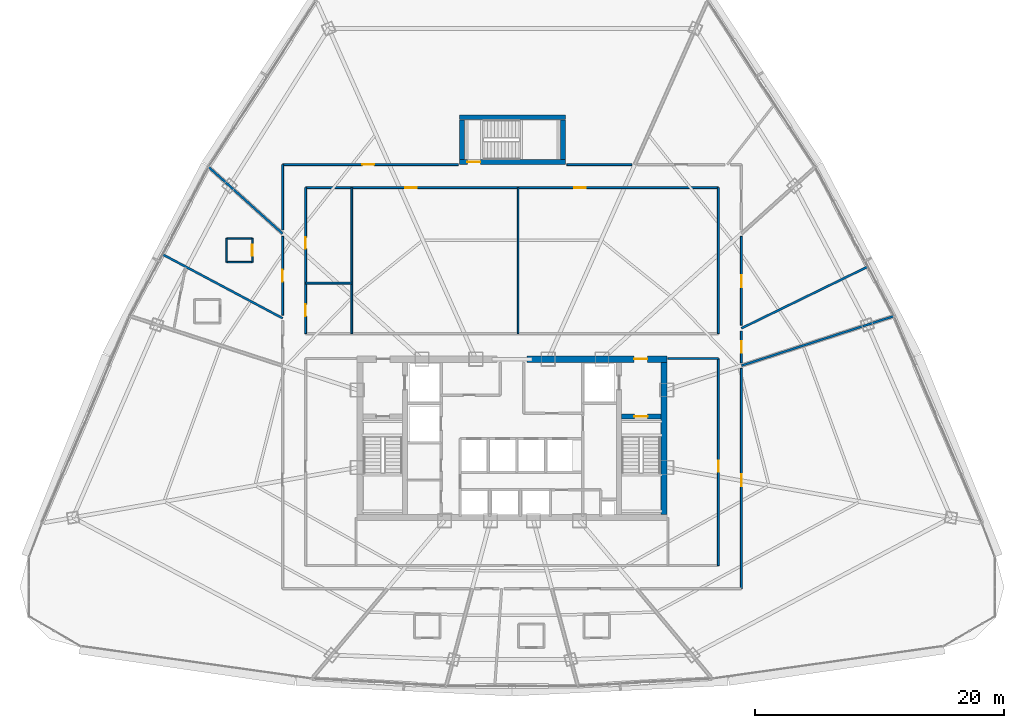
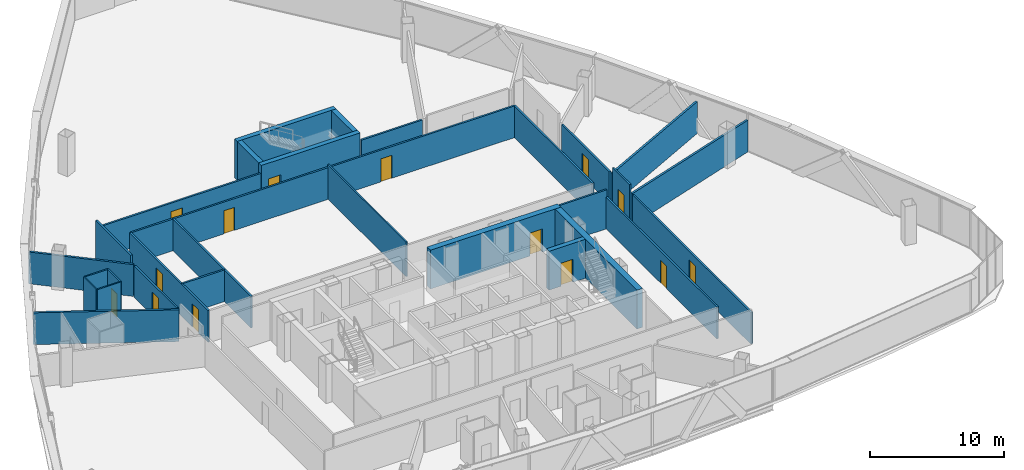
# One storey, part 34 of 40: 30 walls, 14 doors, 14 openings.
"""IFC4 building model written with IfcOpenShell, lengths in metres."""

from ifc_helpers import new_model, si_unit, direction, frame, frame_2d, origin, origin_with_axes, place, context, subcontext, project, spatial, rectangle, extrude, source, transform, mapped, material, layer, layer_set, type_object, element, fill, save


model = new_model("IFC4")

# Units and contexts
model_context = context("Model", 3, precision=1e-05, world=origin(), true_north=direction((0.0, 1.0)))
body_context = subcontext(model_context, "Body", "Model", "MODEL_VIEW")
ifc_project = project(units=[si_unit("LENGTHUNIT", "METRE"), si_unit("AREAUNIT", "SQUARE_METRE"), si_unit("VOLUMEUNIT", "CUBIC_METRE"), si_unit("PLANEANGLEUNIT", "RADIAN"), si_unit("MASSUNIT", "GRAM", prefix="KILO"), si_unit("THERMODYNAMICTEMPERATUREUNIT", "KELVIN"), si_unit("POWERUNIT", "WATT")], contexts=[model_context])

# Site, building, storey
site_placement = place(None, origin())
site = spatial("IfcSite", under=ifc_project, at=site_placement, CompositionType="ELEMENT")
building_placement = place(site_placement, origin())
building = spatial("IfcBuilding", under=site, at=building_placement, Name="Yunzhuo Pagoda Commons", CompositionType="ELEMENT")
storey_placement = place(building_placement, frame((0.0, 0.0, 180.9599609375)))
storey = spatial("IfcBuildingStorey", under=building, at=storey_placement, Name="L45", CompositionType="ELEMENT", Elevation=180.9599609375)

# Wall, opening, door
ifc_material_1 = material(Name="Concrete C50", Category="concrete")
ifc_layer_1 = layer(ifc_material_1, 0.5)
ifc_layer_set_1 = layer_set([ifc_layer_1], Name="Concrete C50")
wall_type_1 = type_object("IfcWallType", Name="W-C03 Upper Core Shear Wall 500", PredefinedType="SHEAR", material=ifc_layer_set_1)
wall_1_placement = place(storey_placement, frame((49.199951171875, 40.199951171875, 0.0), z_axis=(0.0, 0.0, 1.0), x_axis=(1.0, 0.0, 0.0)))
wall_1 = element("IfcWall", 1, at=wall_1_placement, inside=storey, type_object=wall_type_1, Name="L45 core shear wall NE", PredefinedType="SHEAR", context=body_context, shape_type="SweptSolid", body=[
    extrude(rectangle(XDim=11.25, YDim=0.5, at=frame_2d((5.625, 0.0))), origin(), (0.0, 0.0, 1.0), 3.5400390625),
])
opening_1_placement = place(wall_1_placement, frame((8.60009765625, 0.0, 0.0)))
opening_1 = element("IfcOpeningElement", 2, at=opening_1_placement, cuts=wall_1, Name="Opening D-02", PredefinedType="OPENING", context=body_context, shape_type="SweptSolid", body=[
    extrude(rectangle(XDim=1.050048828125, YDim=2.10009765625, at=frame_2d((0.52490234375, 1.050048828125))), frame((0.0, 0.260009765625, 0.0), z_axis=(0.0, -1.0, 0.0), x_axis=(1.0, 0.0, 0.0)), (0.0, 0.0, 1.0), 0.52001953125),
])
ifc_material_2 = material(Name="Galvanized fire-resisting metal leaf")
door_type_1 = type_object("IfcDoorType", Name="D-02 Firefighting Lobby & Refuge Fire Door 1050x2100", OperationType="NOTDEFINED", PredefinedType="DOOR", material=ifc_material_2)
shared_shape_1 = source(origin(), body_context, "Body", "SweptSolid", [
    extrude(rectangle(XDim=1.050048828125, YDim=2.10009765625, at=frame_2d((0.52490234375, 1.050048828125))), frame((0.0, 0.02490234375, 0.0), z_axis=(0.0, -1.0, 0.0), x_axis=(1.0, 0.0, 0.0)), (0.0, 0.0, 1.0), 0.050048828125),
])
door_1_placement = place(opening_1_placement, frame((1.050048828125, 0.0, 0.0), z_axis=(0.0, 0.0, 1.0), x_axis=(-1.0, 0.0, 0.0)))
door_1 = element("IfcDoor", 3, at=door_1_placement, inside=storey, type_object=door_type_1, Name="L45 Firefighting Lobby 2 fire door", OperationType="SINGLE_SWING_RIGHT", OverallHeight=2.10009765625, OverallWidth=1.050048828125, PredefinedType="DOOR", context=body_context, shape_type="MappedRepresentation", body=[
    mapped(shared_shape_1, transform((0.0, 0.0, 0.0), scale=1.0)),
])
fill(opening_1, door_1)

# Wall
wall_2_placement = place(storey_placement, frame((60.199951171875, 27.75, 0.0), z_axis=(0.0, 0.0, 1.0), x_axis=(0.0, 1.0, 0.0)))
element("IfcWall", 4, at=wall_2_placement, inside=storey, type_object=wall_type_1, Name="L45 core shear wall E", PredefinedType="SHEAR", context=body_context, shape_type="SweptSolid", body=[
    extrude(rectangle(XDim=12.199951171875, YDim=0.5, at=frame_2d((6.10009765625, 0.0))), origin(), (0.0, 0.0, 1.0), 3.5400390625),
])

# Wall, openings, doors
ifc_material_3 = material(Name="Gypsum plasterboard on acoustic stud")
ifc_layer_2 = layer(ifc_material_3, 0.155029296875)
ifc_layer_set_2 = layer_set([ifc_layer_2], Name="Gypsum plasterboard on acoustic stud")
wall_type_2 = type_object("IfcWallType", Name="W-COR2 Mid-Zone Rated Corridor Wall 155", PredefinedType="PARTITIONING", material=ifc_layer_set_2)
wall_3_placement = place(storey_placement, frame((31.449951171875, 53.949951171875, 0.0), z_axis=(0.0, 0.0, 1.0), x_axis=(1.0, 0.0, 0.0)))
wall_3 = element("IfcWall", 5, at=wall_3_placement, inside=storey, type_object=wall_type_2, Name="L45 interior wall IW-L45-MCNN", PredefinedType="PARTITIONING", context=body_context, shape_type="SweptSolid", body=[
    extrude(rectangle(XDim=33.10009765625, YDim=0.155029296875, at=frame_2d((16.550048828125, 0.0))), origin(), (0.0, 0.0, 1.0), 2.89013671875),
])
opening_2_placement = place(wall_3_placement, frame((8.0, 0.0, 0.0)))
opening_2 = element("IfcOpeningElement", 6, at=opening_2_placement, cuts=wall_3, Name="Opening D-04", PredefinedType="OPENING", context=body_context, shape_type="SweptSolid", body=[
    extrude(rectangle(XDim=0.919921875, YDim=2.10009765625, at=frame_2d((0.4599609375, 1.050048828125))), frame((0.0, 0.08740234375, 0.0), z_axis=(0.0, -1.0, 0.0), x_axis=(1.0, 0.0, 0.0)), (0.0, 0.0, 1.0), 0.175048828125),
])
opening_3_placement = place(wall_3_placement, frame((21.550048828125, 0.0, 0.0)))
opening_3 = element("IfcOpeningElement", 7, at=opening_3_placement, cuts=wall_3, Name="Opening D-04", PredefinedType="OPENING", context=body_context, shape_type="SweptSolid", body=[
    extrude(rectangle(XDim=0.919921875, YDim=2.10009765625, at=frame_2d((0.4599609375, 1.050048828125))), frame((0.0, 0.08740234375, 0.0), z_axis=(0.0, -1.0, 0.0), x_axis=(1.0, 0.0, 0.0)), (0.0, 0.0, 1.0), 0.175048828125),
])
ifc_material_4 = material(Name="Powder-coated aluminium and timber acoustic leaf", Category="wood")
door_type_2 = type_object("IfcDoorType", Name="D-04 Bedroom & Study Interior Door 920x2100", OperationType="NOTDEFINED", PredefinedType="DOOR", material=ifc_material_4)
shared_shape_2 = source(origin(), body_context, "Body", "SweptSolid", [
    extrude(rectangle(XDim=0.919921875, YDim=2.10009765625, at=frame_2d((0.4599609375, 1.050048828125))), frame((0.0, 0.02490234375, 0.0), z_axis=(0.0, -1.0, 0.0), x_axis=(1.0, 0.0, 0.0)), (0.0, 0.0, 1.0), 0.050048828125),
])
door_2_placement = place(opening_2_placement, origin_with_axes())
door_2 = element("IfcDoor", 8, at=door_2_placement, inside=storey, type_object=door_type_2, Name="L45 reading commons door", OperationType="SINGLE_SWING_LEFT", OverallHeight=2.10009765625, OverallWidth=0.919921875, PredefinedType="DOOR", context=body_context, shape_type="MappedRepresentation", body=[
    mapped(shared_shape_2, transform((0.0, 0.0, 0.0), scale=1.0)),
])
fill(opening_2, door_2)
door_3_placement = place(opening_3_placement, origin_with_axes())
door_3 = element("IfcDoor", 9, at=door_3_placement, inside=storey, type_object=door_type_2, Name="L45 seminar commons door", OperationType="SINGLE_SWING_RIGHT", OverallHeight=2.10009765625, OverallWidth=0.919921875, PredefinedType="DOOR", context=body_context, shape_type="MappedRepresentation", body=[
    mapped(shared_shape_2, transform((0.0, 0.0, 0.0), scale=1.0)),
])
fill(opening_3, door_3)

wall_4_placement = place(storey_placement, frame((31.449951171875, 42.25, 0.0), z_axis=(0.0, 0.0, 1.0), x_axis=(0.0, 1.0, 0.0)))
wall_4 = element("IfcWall", 10, at=wall_4_placement, inside=storey, type_object=wall_type_2, Name="L45 interior wall IW-L45-MCNW", PredefinedType="PARTITIONING", context=body_context, shape_type="SweptSolid", body=[
    extrude(rectangle(XDim=11.699951171875, YDim=0.155029296875, at=frame_2d((5.85009765625, 0.0))), origin(), (0.0, 0.0, 1.0), 2.89013671875),
])
opening_4_placement = place(wall_4_placement, frame((1.39990234375, 0.0, 0.0)))
opening_4 = element("IfcOpeningElement", 11, at=opening_4_placement, cuts=wall_4, Name="Opening D-11", PredefinedType="OPENING", context=body_context, shape_type="SweptSolid", body=[
    extrude(rectangle(XDim=0.93994140625, YDim=2.10009765625, at=frame_2d((0.469970703125, 1.050048828125))), frame((0.0, 0.08740234375, 0.0), z_axis=(0.0, -1.0, 0.0), x_axis=(1.0, 0.0, 0.0)), (0.0, 0.0, 1.0), 0.175048828125),
])
opening_5_placement = place(wall_4_placement, frame((6.800048828125, 0.0, 0.0)))
opening_5 = element("IfcOpeningElement", 12, at=opening_5_placement, cuts=wall_4, Name="Opening D-04", PredefinedType="OPENING", context=body_context, shape_type="SweptSolid", body=[
    extrude(rectangle(XDim=0.919921875, YDim=2.10009765625, at=frame_2d((0.4599609375, 1.050048828125))), frame((0.0, 0.08740234375, 0.0), z_axis=(0.0, -1.0, 0.0), x_axis=(1.0, 0.0, 0.0)), (0.0, 0.0, 1.0), 0.175048828125),
])
door_type_3 = type_object("IfcDoorType", Name="D-11 Accessible Washroom Fire Door 940x2100", OperationType="NOTDEFINED", PredefinedType="DOOR", material=ifc_material_2)
shared_shape_3 = source(origin(), body_context, "Body", "SweptSolid", [
    extrude(rectangle(XDim=0.93994140625, YDim=2.10009765625, at=frame_2d((0.469970703125, 1.050048828125))), frame((0.0, 0.02490234375, 0.0), z_axis=(0.0, -1.0, 0.0), x_axis=(1.0, 0.0, 0.0)), (0.0, 0.0, 1.0), 0.050048828125),
])
door_4_placement = place(opening_4_placement, origin_with_axes())
door_4 = element("IfcDoor", 13, at=door_4_placement, inside=storey, type_object=door_type_3, Name="L45 accessible WC door", OperationType="SINGLE_SWING_LEFT", OverallHeight=2.10009765625, OverallWidth=0.93994140625, PredefinedType="DOOR", context=body_context, shape_type="MappedRepresentation", body=[
    mapped(shared_shape_3, transform((0.0, 0.0, 0.0), scale=1.0)),
])
fill(opening_4, door_4)
door_5_placement = place(opening_5_placement, origin_with_axes())
door_5 = element("IfcDoor", 14, at=door_5_placement, inside=storey, type_object=door_type_2, Name="L45 laundry door", OperationType="SINGLE_SWING_RIGHT", OverallHeight=2.10009765625, OverallWidth=0.919921875, PredefinedType="DOOR", context=body_context, shape_type="MappedRepresentation", body=[
    mapped(shared_shape_2, transform((0.0, 0.0, 0.0), scale=1.0)),
])
fill(opening_5, door_5)

# Walls
for number, where, z_axis, x_axis, name in (
    (15, (64.550048828125, 42.25, 0.0), (0.0, 0.0, 1.0), (0.0, 1.0, 0.0), "L45 interior wall IW-L45-MCNE"),
    (16, (35.14990234375, 42.25, 0.0), (0.0, 0.0, 1.0), (0.0, 1.0, 0.0), "L45 interior wall IW-L45-MCWCE"),
):
    element("IfcWall", number, at=place(storey_placement, frame(where, z_axis=z_axis, x_axis=x_axis)), inside=storey, type_object=wall_type_2, Name=name, PredefinedType="PARTITIONING", context=body_context, shape_type="SweptSolid", body=[
        extrude(rectangle(XDim=11.699951171875, YDim=0.155029296875, at=frame_2d((5.85009765625, 0.0))), origin(), (0.0, 0.0, 1.0), 2.89013671875),
    ])
wall_5_placement = place(storey_placement, frame((31.449951171875, 46.300048828125, 0.0), z_axis=(0.0, 0.0, 1.0), x_axis=(1.0, 0.0, 0.0)))
element("IfcWall", 17, at=wall_5_placement, inside=storey, type_object=wall_type_2, Name="L45 interior wall IW-L45-MCWCN", PredefinedType="PARTITIONING", context=body_context, shape_type="SweptSolid", body=[
    extrude(rectangle(XDim=3.699951171875, YDim=0.155029296875, at=frame_2d((1.85009765625, 0.0))), origin(), (0.0, 0.0, 1.0), 2.89013671875),
])

# Wall, opening, door
wall_6_placement = place(storey_placement, frame((64.550048828125, 23.64990234375, 0.0), z_axis=(0.0, 0.0, 1.0), x_axis=(0.0, 1.0, 0.0)))
wall_6 = element("IfcWall", 18, at=wall_6_placement, inside=storey, type_object=wall_type_2, Name="L45 interior wall IW-L45-SFLE", PredefinedType="PARTITIONING", context=body_context, shape_type="SweptSolid", body=[
    extrude(rectangle(XDim=16.60009765625, YDim=0.155029296875, at=frame_2d((8.300048828125, 0.0))), origin(), (0.0, 0.0, 1.0), 2.89013671875),
])
opening_6_placement = place(wall_6_placement, frame((7.5, 0.0, 0.0)))
opening_6 = element("IfcOpeningElement", 19, at=opening_6_placement, cuts=wall_6, Name="Opening D-12", PredefinedType="OPENING", context=body_context, shape_type="SweptSolid", body=[
    extrude(rectangle(XDim=0.89990234375, YDim=2.080078125, at=frame_2d((0.449951171875, 1.0400390625))), frame((0.0, 0.08740234375, 0.0), z_axis=(0.0, -1.0, 0.0), x_axis=(1.0, 0.0, 0.0)), (0.0, 0.0, 1.0), 0.175048828125),
])
door_type_4 = type_object("IfcDoorType", Name="D-12 Quiet Study Interior Door 900x2080", OperationType="NOTDEFINED", PredefinedType="DOOR", material=ifc_material_4)
shared_shape_4 = source(origin(), body_context, "Body", "SweptSolid", [
    extrude(rectangle(XDim=0.89990234375, YDim=2.080078125, at=frame_2d((0.449951171875, 1.0400390625))), frame((0.0, 0.02490234375, 0.0), z_axis=(0.0, -1.0, 0.0), x_axis=(1.0, 0.0, 0.0)), (0.0, 0.0, 1.0), 0.050048828125),
])
door_6_placement = place(opening_6_placement, frame((0.89990234375, 0.0, 0.0), z_axis=(0.0, 0.0, 1.0), x_axis=(-1.0, 0.0, 0.0)))
door_6 = element("IfcDoor", 20, at=door_6_placement, inside=storey, type_object=door_type_4, Name="L45 east study workroom door", OperationType="SINGLE_SWING_RIGHT", OverallHeight=2.080078125, OverallWidth=0.89990234375, PredefinedType="DOOR", context=body_context, shape_type="MappedRepresentation", body=[
    mapped(shared_shape_4, transform((0.0, 0.0, 0.0), scale=1.0)),
])
fill(opening_6, door_6)

# Wall
wall_7_placement = place(storey_placement, frame((60.5, 40.25, 0.0), z_axis=(0.0, 0.0, 1.0), x_axis=(1.0, 0.0, 0.0)))
element("IfcWall", 21, at=wall_7_placement, inside=storey, type_object=wall_type_2, Name="L45 interior wall IW-L45-SFLNE", PredefinedType="PARTITIONING", context=body_context, shape_type="SweptSolid", body=[
    extrude(rectangle(XDim=4.050048828125, YDim=0.155029296875, at=frame_2d((2.02490234375, 0.0))), origin(), (0.0, 0.0, 1.0), 3.5400390625),
])

# Wall, opening, door
wall_8_placement = place(storey_placement, frame((29.60009765625, 43.732666015625, 0.0), z_axis=(0.0, 0.0, 1.0), x_axis=(0.0, 1.0, 0.0)))
wall_8 = element("IfcWall", 22, at=wall_8_placement, inside=storey, type_object=wall_type_2, Name="L45 interior wall IW-L45-CWL03", PredefinedType="PARTITIONING", context=body_context, shape_type="SweptSolid", body=[
    extrude(rectangle(XDim=6.31494140625, YDim=0.155029296875, at=frame_2d((3.157470703125, 0.0))), origin(), (0.0, 0.0, 1.0), 2.89013671875),
])
opening_7_placement = place(wall_8_placement, frame((2.667724609375, 0.0, 0.0)))
opening_7 = element("IfcOpeningElement", 23, at=opening_7_placement, cuts=wall_8, Name="Opening D-07", PredefinedType="OPENING", context=body_context, shape_type="SweptSolid", body=[
    extrude(rectangle(XDim=0.9599609375, YDim=2.1201171875, at=frame_2d((0.47998046875, 1.06005859375))), frame((0.0, 0.08740234375, 0.0), z_axis=(0.0, -1.0, 0.0), x_axis=(1.0, 0.0, 0.0)), (0.0, 0.0, 1.0), 0.175048828125),
])
door_type_5 = type_object("IfcDoorType", Name="D-07 Mid-Zone Suite Entrance Fire Door 960x2120", OperationType="NOTDEFINED", PredefinedType="DOOR", material=ifc_material_2)
shared_shape_5 = source(origin(), body_context, "Body", "SweptSolid", [
    extrude(rectangle(XDim=0.9599609375, YDim=2.1201171875, at=frame_2d((0.47998046875, 1.06005859375))), frame((0.0, 0.02490234375, 0.0), z_axis=(0.0, -1.0, 0.0), x_axis=(1.0, 0.0, 0.0)), (0.0, 0.0, 1.0), 0.050048828125),
])
door_7_placement = place(opening_7_placement, origin_with_axes())
door_7 = element("IfcDoor", 24, at=door_7_placement, inside=storey, type_object=door_type_5, Name="L45 unit 06 entrance door", OperationType="SINGLE_SWING_RIGHT", OverallHeight=2.1201171875, OverallWidth=0.9599609375, PredefinedType="DOOR", context=body_context, shape_type="MappedRepresentation", body=[
    mapped(shared_shape_5, transform((0.0, 0.0, 0.0), scale=1.0)),
])
fill(opening_7, door_7)

# Wall
wall_9_placement = place(storey_placement, frame((29.60009765625, 50.5634765625, 0.0), z_axis=(0.0, 0.0, 1.0), x_axis=(0.0, 1.0, 0.0)))
element("IfcWall", 25, at=wall_9_placement, inside=storey, type_object=wall_type_2, Name="L45 interior wall IW-L45-CWL04", PredefinedType="PARTITIONING", context=body_context, shape_type="SweptSolid", body=[
    extrude(rectangle(XDim=5.236572265625, YDim=0.155029296875, at=frame_2d((2.6181640625, 0.0))), origin(), (0.0, 0.0, 1.0), 3.5400390625),
])

# Wall, opening, door
wall_10_placement = place(storey_placement, frame((29.60009765625, 55.800048828125, 0.0), z_axis=(0.0, 0.0, 1.0), x_axis=(1.0, 0.0, 0.0)))
wall_10 = element("IfcWall", 26, at=wall_10_placement, inside=storey, type_object=wall_type_2, Name="L45 interior wall IW-L45-CWL05", PredefinedType="PARTITIONING", context=body_context, shape_type="SweptSolid", body=[
    extrude(rectangle(XDim=14.10888671875, YDim=0.155029296875, at=frame_2d((7.054443359375, 0.0))), origin(), (0.0, 0.0, 1.0), 2.89013671875),
])
opening_8_placement = place(wall_10_placement, frame((6.385009765625, 0.0, 0.0)))
opening_8 = element("IfcOpeningElement", 27, at=opening_8_placement, cuts=wall_10, Name="Opening D-07", PredefinedType="OPENING", context=body_context, shape_type="SweptSolid", body=[
    extrude(rectangle(XDim=0.9599609375, YDim=2.1201171875, at=frame_2d((0.47998046875, 1.06005859375))), frame((0.0, 0.08740234375, 0.0), z_axis=(0.0, -1.0, 0.0), x_axis=(1.0, 0.0, 0.0)), (0.0, 0.0, 1.0), 0.175048828125),
])
door_8_placement = place(opening_8_placement, origin_with_axes())
door_8 = element("IfcDoor", 28, at=door_8_placement, inside=storey, type_object=door_type_5, Name="L45 Shared Resident Kitchen and Pantry door", OperationType="SINGLE_SWING_LEFT", OverallHeight=2.1201171875, OverallWidth=0.9599609375, PredefinedType="DOOR", context=body_context, shape_type="MappedRepresentation", body=[
    mapped(shared_shape_5, transform((0.0, 0.0, 0.0), scale=1.0)),
])
fill(opening_8, door_8)

# Wall
wall_11_placement = place(storey_placement, frame((52.39111328125, 55.800048828125, 0.0), z_axis=(0.0, 0.0, 1.0), x_axis=(1.0, 0.0, 0.0)))
element("IfcWall", 29, at=wall_11_placement, inside=storey, type_object=wall_type_2, Name="L45 interior wall IW-L45-CWL06", PredefinedType="PARTITIONING", context=body_context, shape_type="SweptSolid", body=[
    extrude(rectangle(XDim=5.228759765625, YDim=0.155029296875, at=frame_2d((2.6142578125, 0.0))), origin(), (0.0, 0.0, 1.0), 2.89013671875),
])

# Wall, opening, door
wall_12_placement = place(storey_placement, frame((66.39990234375, 50.047607421875, 0.0), z_axis=(0.0, 0.0, 1.0), x_axis=(0.0, -1.0, 0.0)))
wall_12 = element("IfcWall", 30, at=wall_12_placement, inside=storey, type_object=wall_type_2, Name="L45 interior wall IW-L45-CWL10", PredefinedType="PARTITIONING", context=body_context, shape_type="SweptSolid", body=[
    extrude(rectangle(XDim=7.12841796875, YDim=0.155029296875, at=frame_2d((3.564208984375, 0.0))), origin(), (0.0, 0.0, 1.0), 2.89013671875),
])
opening_9_placement = place(wall_12_placement, frame((3.101806640625, 0.0, 0.0)))
opening_9 = element("IfcOpeningElement", 31, at=opening_9_placement, cuts=wall_12, Name="Opening D-07", PredefinedType="OPENING", context=body_context, shape_type="SweptSolid", body=[
    extrude(rectangle(XDim=0.9599609375, YDim=2.1201171875, at=frame_2d((0.47998046875, 1.06005859375))), frame((0.0, 0.08740234375, 0.0), z_axis=(0.0, -1.0, 0.0), x_axis=(1.0, 0.0, 0.0)), (0.0, 0.0, 1.0), 0.175048828125),
])
door_9_placement = place(opening_9_placement, origin_with_axes())
door_9 = element("IfcDoor", 32, at=door_9_placement, inside=storey, type_object=door_type_5, Name="L45 unit 02 entrance door", OperationType="SINGLE_SWING_RIGHT", OverallHeight=2.1201171875, OverallWidth=0.9599609375, PredefinedType="DOOR", context=body_context, shape_type="MappedRepresentation", body=[
    mapped(shared_shape_5, transform((0.0, 0.0, 0.0), scale=1.0)),
])
fill(opening_9, door_9)

wall_13_placement = place(storey_placement, frame((66.39990234375, 42.45458984375, 0.0), z_axis=(0.0, 0.0, 1.0), x_axis=(0.0, -1.0, 0.0)))
wall_13 = element("IfcWall", 33, at=wall_13_placement, inside=storey, type_object=wall_type_2, Name="L45 interior wall IW-L45-CWL11", PredefinedType="PARTITIONING", context=body_context, shape_type="SweptSolid", body=[
    extrude(rectangle(XDim=2.544677734375, YDim=0.155029296875, at=frame_2d((1.2724609375, 0.0))), origin(), (0.0, 0.0, 1.0), 3.5400390625),
])
opening_10_placement = place(wall_13_placement, frame((0.818115234375, 0.0, 0.0)))
opening_10 = element("IfcOpeningElement", 34, at=opening_10_placement, cuts=wall_13, Name="Opening D-04", PredefinedType="OPENING", context=body_context, shape_type="SweptSolid", body=[
    extrude(rectangle(XDim=0.919921875, YDim=2.10009765625, at=frame_2d((0.4599609375, 1.050048828125))), frame((0.0, 0.08740234375, 0.0), z_axis=(0.0, -1.0, 0.0), x_axis=(1.0, 0.0, 0.0)), (0.0, 0.0, 1.0), 0.175048828125),
])
door_10_placement = place(opening_10_placement, origin_with_axes())
door_10 = element("IfcDoor", 35, at=door_10_placement, inside=storey, type_object=door_type_2, Name="L45 seminar room 01 door", OperationType="SINGLE_SWING_LEFT", OverallHeight=2.10009765625, OverallWidth=0.919921875, PredefinedType="DOOR", context=body_context, shape_type="MappedRepresentation", body=[
    mapped(shared_shape_2, transform((0.0, 0.0, 0.0), scale=1.0)),
])
fill(opening_10, door_10)

wall_14_placement = place(storey_placement, frame((66.39990234375, 39.458740234375, 0.0), z_axis=(0.0, 0.0, 1.0), x_axis=(0.0, -1.0, 0.0)))
wall_14 = element("IfcWall", 36, at=wall_14_placement, inside=storey, type_object=wall_type_2, Name="L45 interior wall IW-L45-CWL12", PredefinedType="PARTITIONING", context=body_context, shape_type="SweptSolid", body=[
    extrude(rectangle(XDim=17.65869140625, YDim=0.155029296875, at=frame_2d((8.829345703125, 0.0))), origin(), (0.0, 0.0, 1.0), 2.89013671875),
])
opening_11_placement = place(wall_14_placement, frame((8.474365234375, 0.0, 0.0)))
opening_11 = element("IfcOpeningElement", 37, at=opening_11_placement, cuts=wall_14, Name="Opening D-07", PredefinedType="OPENING", context=body_context, shape_type="SweptSolid", body=[
    extrude(rectangle(XDim=0.9599609375, YDim=2.1201171875, at=frame_2d((0.47998046875, 1.06005859375))), frame((0.0, 0.08740234375, 0.0), z_axis=(0.0, -1.0, 0.0), x_axis=(1.0, 0.0, 0.0)), (0.0, 0.0, 1.0), 0.175048828125),
])
door_11_placement = place(opening_11_placement, origin_with_axes())
door_11 = element("IfcDoor", 38, at=door_11_placement, inside=storey, type_object=door_type_5, Name="L45 Academic Reading Commons 2 door", OperationType="SINGLE_SWING_LEFT", OverallHeight=2.1201171875, OverallWidth=0.9599609375, PredefinedType="DOOR", context=body_context, shape_type="MappedRepresentation", body=[
    mapped(shared_shape_5, transform((0.0, 0.0, 0.0), scale=1.0)),
])
fill(opening_11, door_11)

# Walls
ifc_layer_3 = layer(ifc_material_3, 0.1201171875)
ifc_layer_set_3 = layer_set([ifc_layer_3], Name="Gypsum plasterboard on acoustic stud")
wall_type_3 = type_object("IfcWallType", Name="W-PRT1 Suite & Bathroom Partition 120", PredefinedType="PARTITIONING", material=ifc_layer_set_3)
wall_15_placement = place(storey_placement, frame((48.5, 42.25, 0.0), z_axis=(0.0, 0.0, 1.0), x_axis=(0.0, 1.0, 0.0)))
element("IfcWall", 39, at=wall_15_placement, inside=storey, type_object=wall_type_3, Name="L45 interior wall IW-L45-MCDIV", PredefinedType="PARTITIONING", context=body_context, shape_type="SweptSolid", body=[
    extrude(rectangle(XDim=11.699951171875, YDim=0.1201171875, at=frame_2d((5.85009765625, 0.0))), origin(), (0.0, 0.0, 1.0), 3.14013671875),
])
wall_16_placement = place(storey_placement, frame((25.1201171875, 47.98388671875, 0.0), z_axis=(0.0, 0.0, 1.0), x_axis=(1.0, 0.0, 0.0)))
element("IfcWall", 40, at=wall_16_placement, inside=storey, type_object=wall_type_3, Name="L45 interior wall IW-L45-B06S", PredefinedType="PARTITIONING", context=body_context, shape_type="SweptSolid", body=[
    extrude(rectangle(XDim=2.0498046875, YDim=0.1201171875, at=frame_2d((1.02490234375, 0.0))), origin(), (0.0, 0.0, 1.0), 3.5400390625),
])

# Wall, opening, door
wall_17_placement = place(storey_placement, frame((27.169921875, 47.98388671875, 0.0), z_axis=(0.0, 0.0, 1.0), x_axis=(0.0, 1.0, 0.0)))
wall_17 = element("IfcWall", 41, at=wall_17_placement, inside=storey, type_object=wall_type_3, Name="L45 interior wall IW-L45-B06E", PredefinedType="PARTITIONING", context=body_context, shape_type="SweptSolid", body=[
    extrude(rectangle(XDim=1.900146484375, YDim=0.1201171875, at=frame_2d((0.9501953125, 0.0))), origin(), (0.0, 0.0, 1.0), 3.5400390625),
])
opening_12_placement = place(wall_17_placement, frame((0.52490234375, 0.0, 0.0)))
opening_12 = element("IfcOpeningElement", 42, at=opening_12_placement, cuts=wall_17, Name="Opening D-05", PredefinedType="OPENING", context=body_context, shape_type="SweptSolid", body=[
    extrude(rectangle(XDim=0.85009765625, YDim=2.10009765625, at=frame_2d((0.425048828125, 1.050048828125))), frame((0.0, 0.070068359375, 0.0), z_axis=(0.0, -1.0, 0.0), x_axis=(1.0, 0.0, 0.0)), (0.0, 0.0, 1.0), 0.14013671875),
])
door_type_6 = type_object("IfcDoorType", Name="D-05 En-Suite Bathroom Door 850x2100", OperationType="NOTDEFINED", PredefinedType="DOOR", material=ifc_material_4)
shared_shape_6 = source(origin(), body_context, "Body", "SweptSolid", [
    extrude(rectangle(XDim=0.85009765625, YDim=2.10009765625, at=frame_2d((0.425048828125, 1.050048828125))), frame((0.0, 0.02490234375, 0.0), z_axis=(0.0, -1.0, 0.0), x_axis=(1.0, 0.0, 0.0)), (0.0, 0.0, 1.0), 0.050048828125),
])
door_12_placement = place(opening_12_placement, frame((0.85009765625, 0.0, 0.0), z_axis=(0.0, 0.0, 1.0), x_axis=(-1.0, 0.0, 0.0)))
door_12 = element("IfcDoor", 43, at=door_12_placement, inside=storey, type_object=door_type_6, Name="L45 unit 06 bathroom door", OperationType="SINGLE_SWING_RIGHT", OverallHeight=2.10009765625, OverallWidth=0.85009765625, PredefinedType="DOOR", context=body_context, shape_type="MappedRepresentation", body=[
    mapped(shared_shape_6, transform((0.0, 0.0, 0.0), scale=1.0)),
])
fill(opening_12, door_12)

# Walls
wall_18_placement = place(storey_placement, frame((27.169921875, 49.884033203125, 0.0), z_axis=(0.0, 0.0, 1.0), x_axis=(-1.0, 0.0, 0.0)))
element("IfcWall", 44, at=wall_18_placement, inside=storey, type_object=wall_type_3, Name="L45 interior wall IW-L45-B06N", PredefinedType="PARTITIONING", context=body_context, shape_type="SweptSolid", body=[
    extrude(rectangle(XDim=2.0498046875, YDim=0.1201171875, at=frame_2d((1.02490234375, 0.0))), origin(), (0.0, 0.0, 1.0), 3.5400390625),
])
wall_19_placement = place(storey_placement, frame((25.1201171875, 49.884033203125, 0.0), z_axis=(0.0, 0.0, 1.0), x_axis=(0.0, -1.0, 0.0)))
element("IfcWall", 45, at=wall_19_placement, inside=storey, type_object=wall_type_3, Name="L45 interior wall IW-L45-B06W", PredefinedType="PARTITIONING", context=body_context, shape_type="SweptSolid", body=[
    extrude(rectangle(XDim=1.900146484375, YDim=0.1201171875, at=frame_2d((0.9501953125, 0.0))), origin(), (0.0, 0.0, 1.0), 3.5400390625),
])
ifc_layer_4 = layer(ifc_material_3, 0.175048828125)
ifc_layer_set_4 = layer_set([ifc_layer_4], Name="Gypsum plasterboard on acoustic stud")
wall_type_4 = type_object("IfcWallType", Name="W-PRT3 Mid-Zone Demising Wall 175", PredefinedType="PARTITIONING", material=ifc_layer_set_4)
wall_20_placement = place(storey_placement, frame((66.39990234375, 39.678466796875, 0.0), z_axis=(0.0, 0.0, 1.0), x_axis=(0.951054689993, 0.309022615097, 0.0)))
element("IfcWall", 46, at=wall_20_placement, inside=storey, type_object=wall_type_4, Name="L45 interior wall IW-L45-RAD01", PredefinedType="PARTITIONING", context=body_context, shape_type="SweptSolid", body=[
    extrude(rectangle(XDim=12.875244140625, YDim=0.175048828125, at=frame_2d((6.4375, 0.0))), origin(), (0.0, 0.0, 1.0), 2.89013671875),
])
wall_21_placement = place(storey_placement, frame((66.39990234375, 42.67431640625, 0.0), z_axis=(0.0, 0.0, 1.0), x_axis=(0.898802099841, 0.438354634196, 0.0)))
element("IfcWall", 47, at=wall_21_placement, inside=storey, type_object=wall_type_4, Name="L45 interior wall IW-L45-RAD02", PredefinedType="PARTITIONING", context=body_context, shape_type="SweptSolid", body=[
    extrude(rectangle(XDim=11.293701171875, YDim=0.175048828125, at=frame_2d((5.64697265625, 0.0))), origin(), (0.0, 0.0, 1.0), 2.89013671875),
])
wall_22_placement = place(storey_placement, frame((29.60009765625, 50.267333984375, 0.0), z_axis=(0.0, 0.0, 1.0), x_axis=(-0.743139097079, 0.669136968335, 0.0)))
element("IfcWall", 48, at=wall_22_placement, inside=storey, type_object=wall_type_4, Name="L45 interior wall IW-L45-RAD06", PredefinedType="PARTITIONING", context=body_context, shape_type="SweptSolid", body=[
    extrude(rectangle(XDim=7.987060546875, YDim=0.175048828125, at=frame_2d((3.99365234375, 0.0))), origin(), (0.0, 0.0, 1.0), 2.89013671875),
])
wall_23_placement = place(storey_placement, frame((29.60009765625, 43.4833984375, 0.0), z_axis=(0.0, 0.0, 1.0), x_axis=(-0.882940086537, 0.469485679853, 0.0)))
element("IfcWall", 49, at=wall_23_placement, inside=storey, type_object=wall_type_4, Name="L45 interior wall IW-L45-RAD07", PredefinedType="PARTITIONING", context=body_context, shape_type="SweptSolid", body=[
    extrude(rectangle(XDim=10.910400390625, YDim=0.175048828125, at=frame_2d((5.455078125, 0.0))), origin(), (0.0, 0.0, 1.0), 2.89013671875),
])

# Wall, opening, door
ifc_material_5 = material(Name="Concrete C60", Category="concrete")
ifc_layer_5 = layer(ifc_material_5, 0.39990234375)
ifc_layer_set_5 = layer_set([ifc_layer_5], Name="Concrete C60")
wall_type_5 = type_object("IfcWallType", Name="W-S01 Internal Core Shear Web 400", PredefinedType="SHEAR", material=ifc_layer_set_5)
wall_24_placement = place(storey_placement, frame((56.800048828125, 35.60009765625, 0.0), z_axis=(0.0, 0.0, 1.0), x_axis=(1.0, 0.0, 0.0)))
wall_24 = element("IfcWall", 50, at=wall_24_placement, inside=storey, type_object=wall_type_5, Name="L45 core shear wall STE", PredefinedType="SHEAR", context=body_context, shape_type="SweptSolid", body=[
    extrude(rectangle(XDim=3.14990234375, YDim=0.39990234375, at=frame_2d((1.574951171875, 0.0))), origin(), (0.0, 0.0, 1.0), 3.5400390625),
])
opening_13_placement = place(wall_24_placement, frame((1.02001953125, 0.0, 0.0)))
opening_13 = element("IfcOpeningElement", 51, at=opening_13_placement, cuts=wall_24, Name="Opening D-01", PredefinedType="OPENING", context=body_context, shape_type="SweptSolid", body=[
    extrude(rectangle(XDim=1.050048828125, YDim=2.10009765625, at=frame_2d((0.52490234375, 1.050048828125))), frame((0.0, 0.2099609375, 0.0), z_axis=(0.0, -1.0, 0.0), x_axis=(1.0, 0.0, 0.0)), (0.0, 0.0, 1.0), 0.419921875),
])
door_type_7 = type_object("IfcDoorType", Name="D-01 Smokeproof Stair Fire Door 1050x2100", OperationType="NOTDEFINED", PredefinedType="DOOR", material=ifc_material_2)
door_13_placement = place(opening_13_placement, frame((1.050048828125, 0.0, 0.0), z_axis=(0.0, 0.0, 1.0), x_axis=(-1.0, 0.0, 0.0)))
door_13 = element("IfcDoor", 52, at=door_13_placement, inside=storey, type_object=door_type_7, Name="L45 Stair ST2 fire door", OperationType="SINGLE_SWING_RIGHT", OverallHeight=2.10009765625, OverallWidth=1.050048828125, PredefinedType="DOOR", context=body_context, shape_type="MappedRepresentation", body=[
    mapped(shared_shape_1, transform((0.0, 0.0, 0.0), scale=1.0)),
])
fill(opening_13, door_13)

# Wall
wall_25_placement = place(storey_placement, frame((43.800048828125, 59.60009765625, 0.0), z_axis=(0.0, 0.0, 1.0), x_axis=(1.0, 0.0, 0.0)))
element("IfcWall", 53, at=wall_25_placement, inside=storey, type_object=wall_type_5, Name="L45 ST3 structural stair wall N", PredefinedType="SHEAR", context=body_context, shape_type="SweptSolid", body=[
    extrude(rectangle(XDim=8.5, YDim=0.39990234375, at=frame_2d((4.25, 0.0))), origin(), (0.0, 0.0, 1.0), 3.5400390625),
])

# Wall, opening, door
wall_26_placement = place(storey_placement, frame((43.800048828125, 56.0, 0.0), z_axis=(0.0, 0.0, 1.0), x_axis=(1.0, 0.0, 0.0)))
wall_26 = element("IfcWall", 54, at=wall_26_placement, inside=storey, type_object=wall_type_5, Name="L45 ST3 structural stair wall S", PredefinedType="SHEAR", context=body_context, shape_type="SweptSolid", body=[
    extrude(rectangle(XDim=8.5, YDim=0.39990234375, at=frame_2d((4.25, 0.0))), origin(), (0.0, 0.0, 1.0), 3.5400390625),
])
opening_14_placement = place(wall_26_placement, frame((0.6201171875, 0.0, 0.0)))
opening_14 = element("IfcOpeningElement", 55, at=opening_14_placement, cuts=wall_26, Name="Opening D-01", PredefinedType="OPENING", context=body_context, shape_type="SweptSolid", body=[
    extrude(rectangle(XDim=1.050048828125, YDim=2.10009765625, at=frame_2d((0.52490234375, 1.050048828125))), frame((0.0, 0.2099609375, 0.0), z_axis=(0.0, -1.0, 0.0), x_axis=(1.0, 0.0, 0.0)), (0.0, 0.0, 1.0), 0.419921875),
])
door_14_placement = place(opening_14_placement, frame((1.050048828125, 0.0, 0.0), z_axis=(0.0, 0.0, 1.0), x_axis=(-1.0, 0.0, 0.0)))
door_14 = element("IfcDoor", 56, at=door_14_placement, inside=storey, type_object=door_type_7, Name="L45 Stair ST3 fire door", OperationType="SINGLE_SWING_LEFT", OverallHeight=2.10009765625, OverallWidth=1.050048828125, PredefinedType="DOOR", context=body_context, shape_type="MappedRepresentation", body=[
    mapped(shared_shape_1, transform((0.0, 0.0, 0.0), scale=1.0)),
])
fill(opening_14, door_14)

# Walls
for number, where, z_axis, x_axis, name in (
    (57, (44.0, 56.199951171875, 0.0), (0.0, 0.0, 1.0), (0.0, 1.0, 0.0), "L45 ST3 structural stair wall W"),
    (58, (52.10009765625, 56.199951171875, 0.0), (0.0, 0.0, 1.0), (0.0, 1.0, 0.0), "L45 ST3 structural stair wall E"),
):
    element("IfcWall", number, at=place(storey_placement, frame(where, z_axis=z_axis, x_axis=x_axis)), inside=storey, type_object=wall_type_5, Name=name, PredefinedType="SHEAR", context=body_context, shape_type="SweptSolid", body=[
        extrude(rectangle(XDim=3.199951171875, YDim=0.39990234375, at=frame_2d((1.60009765625, 0.0))), origin(), (0.0, 0.0, 1.0), 3.5400390625),
    ])

save(model, "model.ifc")
